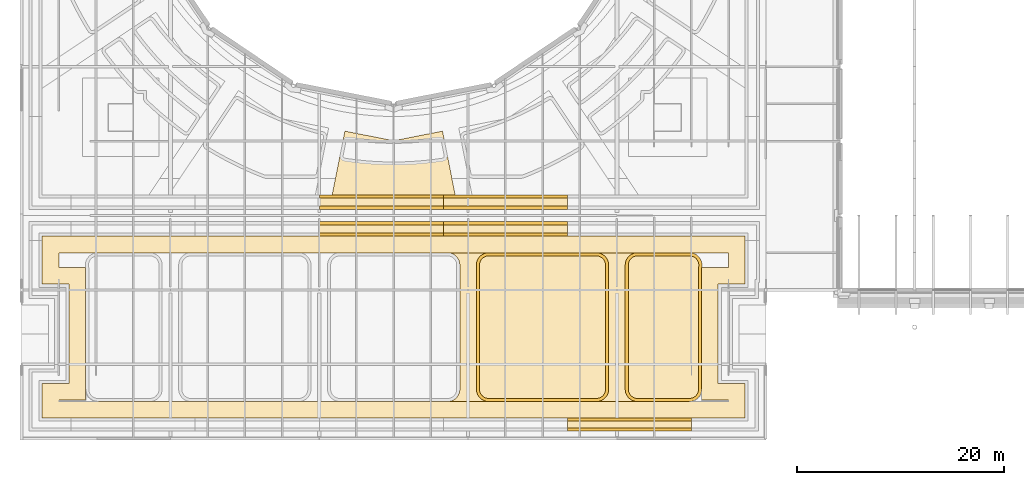
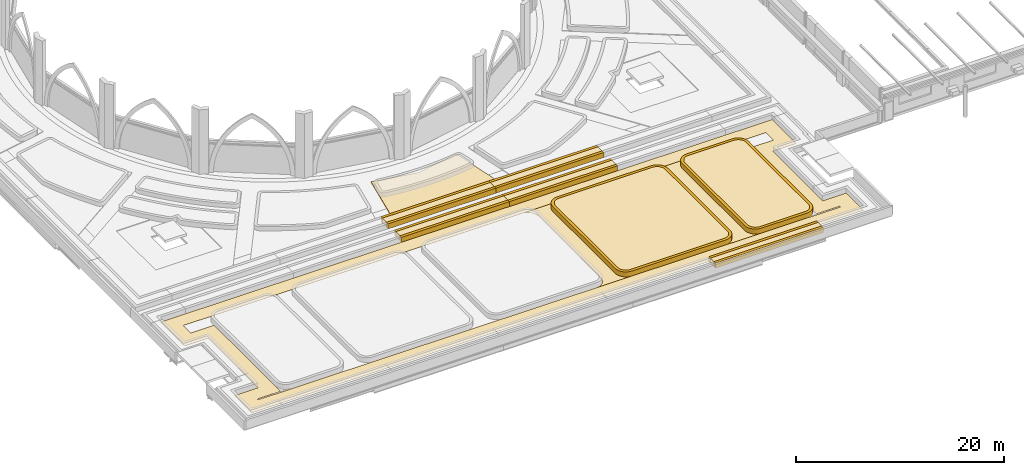
# One storey, part 83 of 110: 23 coverings.
"""IFC4 building model written with IfcOpenShell, lengths in metres."""

from ifc_helpers import new_model, si_unit, direction, frame, origin, place, context, subcontext, project, spatial, polyline, outline, extrude, material, layer, layer_set, type_object, element, save


model = new_model("IFC4")

# Units and contexts
model_context = context("Model", 3, precision=1e-05, world=origin(), true_north=direction((0.0, 1.0)))
body_context = subcontext(model_context, "Body", "Model", "MODEL_VIEW")
ifc_project = project(units=[si_unit("LENGTHUNIT", "METRE"), si_unit("AREAUNIT", "SQUARE_METRE"), si_unit("VOLUMEUNIT", "CUBIC_METRE"), si_unit("PLANEANGLEUNIT", "RADIAN"), si_unit("MASSUNIT", "GRAM", prefix="KILO")], contexts=[model_context])

# Site, building, storey
site_placement = place(None, origin())
site = spatial("IfcSite", under=ifc_project, at=site_placement, CompositionType="ELEMENT")
building_placement = place(site_placement, origin())
building = spatial("IfcBuilding", under=site, at=building_placement, Name="Kupolbacken Congress Centre", CompositionType="ELEMENT")
storey_placement = place(building_placement, frame((0.0, 0.0, 18.0)))
storey = spatial("IfcBuildingStorey", under=building, at=storey_placement, Name="L05", CompositionType="ELEMENT", Elevation=18.0)

# Coverings
ifc_material_1 = material(Name="Limestone cladding", Category="masonry")
ifc_layer_1 = layer(ifc_material_1, 0.60009765625)
ifc_layer_set_1 = layer_set([ifc_layer_1], Name="Limestone cladding")
covering_type_1 = type_object("IfcCoveringType", Name="CV5 limestone arcade pier 600", PredefinedType="CLADDING", material=ifc_layer_set_1)
covering_1_placement = place(storey_placement, origin())
element("IfcCovering", 1, at=covering_1_placement, inside=storey, type_object=covering_type_1, Name="Bed kerb, plenary wing roof", PredefinedType="CLADDING", context=body_context, shape_type="SweptSolid", body=[
    extrude(outline(polyline([(48.0, 52.402587890625), (48.0, 52.1025390625), (36.0, 52.1025390625), (36.0, 52.402587890625), (48.0, 52.402587890625)])), origin(), (0.0, 0.0, 1.0), 0.60009765625),
])
covering_2_placement = place(storey_placement, origin())
element("IfcCovering", 2, at=covering_2_placement, inside=storey, type_object=covering_type_1, Name="Bed kerb, plenary wing roof", PredefinedType="CLADDING", context=body_context, shape_type="SweptSolid", body=[
    extrude(outline(polyline([(36.0, 51.00244140625), (36.0, 51.302490234375), (48.0, 51.302490234375), (48.0, 51.00244140625), (36.0, 51.00244140625)])), origin(), (0.0, 0.0, 1.0), 0.60009765625),
])
covering_3_placement = place(storey_placement, origin())
element("IfcCovering", 3, at=covering_3_placement, inside=storey, type_object=covering_type_1, Name="Bed kerb, plenary wing roof", PredefinedType="CLADDING", context=body_context, shape_type="SweptSolid", body=[
    extrude(outline(polyline([(60.0, 52.402587890625), (60.0, 52.1025390625), (48.0, 52.1025390625), (48.0, 52.402587890625), (60.0, 52.402587890625)])), origin(), (0.0, 0.0, 1.0), 0.60009765625),
])
covering_4_placement = place(storey_placement, origin())
element("IfcCovering", 4, at=covering_4_placement, inside=storey, type_object=covering_type_1, Name="Bed kerb, plenary wing roof", PredefinedType="CLADDING", context=body_context, shape_type="SweptSolid", body=[
    extrude(outline(polyline([(48.0, 51.00244140625), (48.0, 51.302490234375), (60.0, 51.302490234375), (60.0, 51.00244140625), (48.0, 51.00244140625)])), origin(), (0.0, 0.0, 1.0), 0.60009765625),
])
covering_5_placement = place(storey_placement, origin())
element("IfcCovering", 5, at=covering_5_placement, inside=storey, type_object=covering_type_1, Name="Bed kerb, roof garden", PredefinedType="CLADDING", context=body_context, shape_type="SweptSolid", body=[
    extrude(outline(polyline([(48.0, 49.797607421875), (48.0, 49.49755859375), (36.0, 49.49755859375), (36.0, 49.797607421875), (48.0, 49.797607421875)])), origin(), (0.0, 0.0, 1.0), 0.60009765625),
])
covering_6_placement = place(storey_placement, origin())
element("IfcCovering", 6, at=covering_6_placement, inside=storey, type_object=covering_type_1, Name="Bed kerb, roof garden", PredefinedType="CLADDING", context=body_context, shape_type="SweptSolid", body=[
    extrude(outline(polyline([(60.0, 49.797607421875), (60.0, 49.49755859375), (48.0, 49.49755859375), (48.0, 49.797607421875), (60.0, 49.797607421875)])), origin(), (0.0, 0.0, 1.0), 0.60009765625),
])
covering_7_placement = place(storey_placement, origin())
element("IfcCovering", 7, at=covering_7_placement, inside=storey, type_object=covering_type_1, Name="Bed kerb, roof garden", PredefinedType="CLADDING", context=body_context, shape_type="SweptSolid", body=[
    extrude(outline(polyline([(60.0, 29.530029296875), (60.0, 29.830078125), (72.0, 29.830078125), (72.0, 29.530029296875), (60.0, 29.530029296875)])), origin(), (0.0, 0.0, 1.0), 0.60009765625),
])
covering_8_placement = place(storey_placement, origin())
element("IfcCovering", 8, at=covering_8_placement, inside=storey, type_object=covering_type_1, Name="Bed kerb, roof garden", PredefinedType="CLADDING", context=body_context, shape_type="SweptSolid", body=[
    extrude(outline(polyline([(48.0, 48.697509765625), (48.0, 48.3974609375), (36.0, 48.3974609375), (36.0, 48.697509765625), (48.0, 48.697509765625)])), origin(), (0.0, 0.0, 1.0), 0.60009765625),
])
covering_9_placement = place(storey_placement, origin())
element("IfcCovering", 9, at=covering_9_placement, inside=storey, type_object=covering_type_1, Name="Bed kerb, roof garden", PredefinedType="CLADDING", context=body_context, shape_type="SweptSolid", body=[
    extrude(outline(polyline([(60.0, 48.697509765625), (60.0, 48.3974609375), (48.0, 48.3974609375), (48.0, 48.697509765625), (60.0, 48.697509765625)])), origin(), (0.0, 0.0, 1.0), 0.60009765625),
])
covering_10_placement = place(storey_placement, origin())
element("IfcCovering", 10, at=covering_10_placement, inside=storey, type_object=covering_type_1, Name="Bed kerb, roof garden", PredefinedType="CLADDING", context=body_context, shape_type="SweptSolid", body=[
    extrude(outline(polyline([(60.0, 30.50244140625), (60.0, 30.802490234375), (72.0, 30.802490234375), (72.0, 30.50244140625), (60.0, 30.50244140625)])), origin(), (0.0, 0.0, 1.0), 0.60009765625),
])
covering_11_placement = place(storey_placement, origin())
element("IfcCovering", 11, at=covering_11_placement, inside=storey, type_object=covering_type_1, Name="Bed kerb, roof garden", PredefinedType="CLADDING", context=body_context, shape_type="SweptSolid", body=[
    extrude(outline(polyline([(62.916015625, 46.791748046875), (63.03271484375, 46.7744140625), (63.146728515625, 46.745849609375), (63.2578125, 46.706298828125), (63.3642578125, 46.65576171875), (63.465087890625, 46.59521484375), (63.559814453125, 46.525146484375), (63.64697265625, 46.446044921875), (63.72607421875, 46.35888671875), (63.79638671875, 46.26416015625), (63.856689453125, 46.1630859375), (63.9072265625, 46.056640625), (63.94677734375, 45.94580078125), (63.975341796875, 45.83154296875), (63.99267578125, 45.715087890625), (63.99853515625, 45.597412109375), (63.99853515625, 33.6025390625), (63.99267578125, 33.48486328125), (63.975341796875, 33.368408203125), (63.94677734375, 33.254150390625), (63.9072265625, 33.143310546875), (63.856689453125, 33.036865234375), (63.79638671875, 32.935791015625), (63.72607421875, 32.84130859375), (63.64697265625, 32.75390625), (63.559814453125, 32.6748046875), (63.465087890625, 32.604736328125), (63.3642578125, 32.544189453125), (63.2578125, 32.493896484375), (63.146728515625, 32.4541015625), (63.03271484375, 32.425537109375), (62.916015625, 32.408203125), (62.798583984375, 32.402587890625), (52.3994140625, 32.402587890625), (52.281982421875, 32.408203125), (52.165283203125, 32.425537109375), (52.05126953125, 32.4541015625), (51.940185546875, 32.493896484375), (51.833740234375, 32.544189453125), (51.73291015625, 32.604736328125), (51.63818359375, 32.6748046875), (51.551025390625, 32.75390625), (51.471923828125, 32.84130859375), (51.401611328125, 32.935791015625), (51.34130859375, 33.036865234375), (51.290771484375, 33.143310546875), (51.251220703125, 33.254150390625), (51.22265625, 33.368408203125), (51.205322265625, 33.48486328125), (51.199462890625, 33.6025390625), (51.199462890625, 45.597412109375), (51.205322265625, 45.715087890625), (51.22265625, 45.83154296875), (51.251220703125, 45.94580078125), (51.290771484375, 46.056640625), (51.34130859375, 46.1630859375), (51.401611328125, 46.26416015625), (51.471923828125, 46.35888671875), (51.551025390625, 46.446044921875), (51.63818359375, 46.525146484375), (51.73291015625, 46.59521484375), (51.833740234375, 46.65576171875), (51.940185546875, 46.706298828125), (52.05126953125, 46.745849609375), (52.165283203125, 46.7744140625), (52.281982421875, 46.791748046875), (52.3994140625, 46.797607421875), (62.798583984375, 46.797607421875), (62.916015625, 46.791748046875)]), holes=[polyline([(52.406982421875, 46.49755859375), (52.311279296875, 46.492919921875), (52.22412109375, 46.47998046875), (52.13818359375, 46.45849609375), (52.05517578125, 46.4287109375), (51.975341796875, 46.390869140625), (51.899658203125, 46.345458984375), (51.828857421875, 46.29296875), (51.763427734375, 46.233642578125), (51.7041015625, 46.168212890625), (51.651611328125, 46.097412109375), (51.606201171875, 46.021484375), (51.568359375, 45.94189453125), (51.53857421875, 45.858642578125), (51.51708984375, 45.77294921875), (51.504150390625, 45.685791015625), (51.49951171875, 45.590087890625), (51.49951171875, 33.60986328125), (51.504150390625, 33.514404296875), (51.51708984375, 33.427001953125), (51.53857421875, 33.34130859375), (51.568359375, 33.25830078125), (51.606201171875, 33.178466796875), (51.651611328125, 33.102783203125), (51.7041015625, 33.03173828125), (51.763427734375, 32.96630859375), (51.828857421875, 32.906982421875), (51.899658203125, 32.8544921875), (51.975341796875, 32.80908203125), (52.05517578125, 32.771240234375), (52.13818359375, 32.74169921875), (52.22412109375, 32.72021484375), (52.311279296875, 32.707275390625), (52.406982421875, 32.702392578125), (62.791015625, 32.702392578125), (62.88671875, 32.707275390625), (62.97412109375, 32.72021484375), (63.059814453125, 32.74169921875), (63.142822265625, 32.771240234375), (63.22265625, 32.80908203125), (63.29833984375, 32.8544921875), (63.369140625, 32.906982421875), (63.4345703125, 32.96630859375), (63.493896484375, 33.03173828125), (63.54638671875, 33.102783203125), (63.591796875, 33.178466796875), (63.629638671875, 33.25830078125), (63.659423828125, 33.34130859375), (63.680908203125, 33.427001953125), (63.69384765625, 33.514404296875), (63.698486328125, 33.60986328125), (63.698486328125, 45.590087890625), (63.69384765625, 45.685791015625), (63.680908203125, 45.77294921875), (63.659423828125, 45.858642578125), (63.629638671875, 45.94189453125), (63.591796875, 46.021484375), (63.54638671875, 46.097412109375), (63.493896484375, 46.168212890625), (63.4345703125, 46.233642578125), (63.369140625, 46.29296875), (63.29833984375, 46.345458984375), (63.22265625, 46.390869140625), (63.142822265625, 46.4287109375), (63.059814453125, 46.45849609375), (62.97412109375, 46.47998046875), (62.88671875, 46.492919921875), (62.791015625, 46.49755859375), (52.406982421875, 46.49755859375)])]), origin(), (0.0, 0.0, 1.0), 0.60009765625),
])
covering_12_placement = place(storey_placement, origin())
element("IfcCovering", 12, at=covering_12_placement, inside=storey, type_object=covering_type_1, Name="Bed kerb, roof garden", PredefinedType="CLADDING", context=body_context, shape_type="SweptSolid", body=[
    extrude(outline(polyline([(72.99169921875, 33.48486328125), (72.974365234375, 33.368408203125), (72.94580078125, 33.254150390625), (72.90625, 33.143310546875), (72.855712890625, 33.036865234375), (72.79541015625, 32.935791015625), (72.72509765625, 32.84130859375), (72.64599609375, 32.75390625), (72.558837890625, 32.6748046875), (72.464111328125, 32.604736328125), (72.36328125, 32.544189453125), (72.256591796875, 32.493896484375), (72.145751953125, 32.4541015625), (72.031494140625, 32.425537109375), (71.9150390625, 32.408203125), (71.797607421875, 32.402587890625), (66.798583984375, 32.402587890625), (66.680908203125, 32.408203125), (66.564453125, 32.425537109375), (66.4501953125, 32.4541015625), (66.33935546875, 32.493896484375), (66.23291015625, 32.544189453125), (66.1318359375, 32.604736328125), (66.037109375, 32.6748046875), (65.949951171875, 32.75390625), (65.870849609375, 32.84130859375), (65.80078125, 32.935791015625), (65.740234375, 33.036865234375), (65.689697265625, 33.143310546875), (65.650146484375, 33.254150390625), (65.62158203125, 33.368408203125), (65.604248046875, 33.48486328125), (65.598388671875, 33.6025390625), (65.598388671875, 45.597412109375), (65.604248046875, 45.715087890625), (65.62158203125, 45.83154296875), (65.650146484375, 45.94580078125), (65.689697265625, 46.056640625), (65.740234375, 46.1630859375), (65.80078125, 46.26416015625), (65.870849609375, 46.35888671875), (65.949951171875, 46.446044921875), (66.037109375, 46.525146484375), (66.1318359375, 46.59521484375), (66.23291015625, 46.65576171875), (66.33935546875, 46.706298828125), (66.4501953125, 46.745849609375), (66.564453125, 46.7744140625), (66.680908203125, 46.791748046875), (66.798583984375, 46.797607421875), (71.8232421875, 46.797607421875), (71.938232421875, 46.7919921875), (72.052001953125, 46.775390625), (72.163818359375, 46.748291015625), (72.2724609375, 46.710205078125), (72.376953125, 46.662109375), (72.476318359375, 46.604248046875), (72.56982421875, 46.537109375), (72.656494140625, 46.461181640625), (72.7353515625, 46.37744140625), (72.805908203125, 46.28662109375), (72.8671875, 46.189208984375), (72.919189453125, 46.08642578125), (72.9609375, 45.979248046875), (72.9921875, 45.86865234375), (73.012939453125, 45.75537109375), (73.0224609375, 45.640625), (73.02099609375, 45.525634765625), (73.0087890625, 45.411376953125), (72.998779296875, 45.34716796875), (72.99755859375, 45.322998046875), (72.99755859375, 33.6025390625), (72.99169921875, 33.48486328125)]), holes=[polyline([(72.697509765625, 45.330322265625), (72.69970703125, 45.3779296875), (72.711181640625, 45.45068359375), (72.72119140625, 45.543701171875), (72.722412109375, 45.6298828125), (72.715087890625, 45.7158203125), (72.69970703125, 45.80078125), (72.67626953125, 45.8837890625), (72.644775390625, 45.964111328125), (72.60595703125, 46.041015625), (72.559814453125, 46.114013671875), (72.507080078125, 46.18212890625), (72.447998046875, 46.2451171875), (72.383056640625, 46.302001953125), (72.31298828125, 46.352294921875), (72.23828125, 46.395751953125), (72.16015625, 46.431640625), (72.07861328125, 46.460205078125), (71.994873046875, 46.480712890625), (71.909423828125, 46.492919921875), (71.816162109375, 46.49755859375), (66.805908203125, 46.49755859375), (66.710205078125, 46.492919921875), (66.623046875, 46.47998046875), (66.537353515625, 46.45849609375), (66.4541015625, 46.4287109375), (66.37451171875, 46.390869140625), (66.298583984375, 46.345458984375), (66.227783203125, 46.29296875), (66.162353515625, 46.233642578125), (66.10302734375, 46.168212890625), (66.050537109375, 46.097412109375), (66.005126953125, 46.021484375), (65.96728515625, 45.94189453125), (65.9375, 45.858642578125), (65.916015625, 45.77294921875), (65.9033203125, 45.685791015625), (65.8984375, 45.590087890625), (65.8984375, 33.60986328125), (65.9033203125, 33.514404296875), (65.916015625, 33.427001953125), (65.9375, 33.34130859375), (65.96728515625, 33.25830078125), (66.005126953125, 33.178466796875), (66.050537109375, 33.102783203125), (66.10302734375, 33.03173828125), (66.162353515625, 32.96630859375), (66.227783203125, 32.906982421875), (66.298583984375, 32.8544921875), (66.37451171875, 32.80908203125), (66.4541015625, 32.771240234375), (66.537353515625, 32.74169921875), (66.623046875, 32.72021484375), (66.710205078125, 32.707275390625), (66.805908203125, 32.702392578125), (71.7900390625, 32.702392578125), (71.8857421875, 32.707275390625), (71.972900390625, 32.72021484375), (72.05859375, 32.74169921875), (72.141845703125, 32.771240234375), (72.2216796875, 32.80908203125), (72.29736328125, 32.8544921875), (72.3681640625, 32.906982421875), (72.43359375, 32.96630859375), (72.492919921875, 33.03173828125), (72.54541015625, 33.102783203125), (72.5908203125, 33.178466796875), (72.628662109375, 33.25830078125), (72.658447265625, 33.34130859375), (72.679931640625, 33.427001953125), (72.69287109375, 33.514404296875), (72.697509765625, 33.60986328125), (72.697509765625, 45.330322265625)])]), origin(), (0.0, 0.0, 1.0), 0.60009765625),
])
ifc_material_2 = material(Name="Limestone cladding", Category="masonry")
ifc_layer_2 = layer(ifc_material_2, 0.02001953125)
ifc_layer_set_2 = layer_set([ifc_layer_2], Name="Limestone cladding")
covering_type_2 = type_object("IfcCoveringType", Name="GF1 limestone paving 20", PredefinedType="FLOORING", material=ifc_layer_set_2)
covering_13_placement = place(storey_placement, origin())
element("IfcCovering", 13, at=covering_13_placement, inside=storey, type_object=covering_type_2, Name="Roof walk, roof garden", PredefinedType="FLOORING", context=body_context, shape_type="SweptSolid", body=[
    extrude(outline(polyline([(48.51708984375, 46.791748046875), (48.3994140625, 46.797607421875), (52.3994140625, 46.797607421875), (52.281982421875, 46.791748046875), (52.165283203125, 46.7744140625), (52.05126953125, 46.745849609375), (51.940185546875, 46.706298828125), (51.833740234375, 46.65576171875), (51.73291015625, 46.59521484375), (51.63818359375, 46.525146484375), (51.551025390625, 46.446044921875), (51.471923828125, 46.35888671875), (51.401611328125, 46.26416015625), (51.34130859375, 46.1630859375), (51.290771484375, 46.056640625), (51.251220703125, 45.94580078125), (51.22265625, 45.83154296875), (51.205322265625, 45.715087890625), (51.199462890625, 45.597412109375), (51.199462890625, 33.6025390625), (51.205322265625, 33.48486328125), (51.22265625, 33.368408203125), (51.251220703125, 33.254150390625), (51.290771484375, 33.143310546875), (51.34130859375, 33.036865234375), (51.401611328125, 32.935791015625), (51.471923828125, 32.84130859375), (51.551025390625, 32.75390625), (51.63818359375, 32.6748046875), (51.73291015625, 32.604736328125), (51.833740234375, 32.544189453125), (51.940185546875, 32.493896484375), (52.05126953125, 32.4541015625), (52.165283203125, 32.425537109375), (52.281982421875, 32.408203125), (52.3994140625, 32.402587890625), (48.3994140625, 32.402587890625), (48.51708984375, 32.408203125), (48.633544921875, 32.425537109375), (48.747802734375, 32.4541015625), (48.858642578125, 32.493896484375), (48.965087890625, 32.544189453125), (49.066162109375, 32.604736328125), (49.160888671875, 32.6748046875), (49.248046875, 32.75390625), (49.3271484375, 32.84130859375), (49.397216796875, 32.935791015625), (49.457763671875, 33.036865234375), (49.50830078125, 33.143310546875), (49.5478515625, 33.254150390625), (49.576416015625, 33.368408203125), (49.59375, 33.48486328125), (49.599609375, 33.6025390625), (49.599609375, 45.597412109375), (49.59375, 45.715087890625), (49.576416015625, 45.83154296875), (49.5478515625, 45.94580078125), (49.50830078125, 46.056640625), (49.457763671875, 46.1630859375), (49.397216796875, 46.26416015625), (49.3271484375, 46.35888671875), (49.248046875, 46.446044921875), (49.160888671875, 46.525146484375), (49.066162109375, 46.59521484375), (48.965087890625, 46.65576171875), (48.858642578125, 46.706298828125), (48.747802734375, 46.745849609375), (48.633544921875, 46.7744140625), (48.51708984375, 46.791748046875)])), origin(), (0.0, 0.0, 1.0), 0.02001953125),
])
covering_14_placement = place(storey_placement, origin())
element("IfcCovering", 14, at=covering_14_placement, inside=storey, type_object=covering_type_2, Name="Roof walk, roof garden", PredefinedType="FLOORING", context=body_context, shape_type="SweptSolid", body=[
    extrude(outline(polyline([(62.798583984375, 46.797607421875), (66.798583984375, 46.797607421875), (66.680908203125, 46.791748046875), (66.564453125, 46.7744140625), (66.4501953125, 46.745849609375), (66.33935546875, 46.706298828125), (66.23291015625, 46.65576171875), (66.1318359375, 46.59521484375), (66.037109375, 46.525146484375), (65.949951171875, 46.446044921875), (65.870849609375, 46.35888671875), (65.80078125, 46.26416015625), (65.740234375, 46.1630859375), (65.689697265625, 46.056640625), (65.650146484375, 45.94580078125), (65.62158203125, 45.83154296875), (65.604248046875, 45.715087890625), (65.598388671875, 45.597412109375), (65.598388671875, 33.6025390625), (65.604248046875, 33.48486328125), (65.62158203125, 33.368408203125), (65.650146484375, 33.254150390625), (65.689697265625, 33.143310546875), (65.740234375, 33.036865234375), (65.80078125, 32.935791015625), (65.870849609375, 32.84130859375), (65.949951171875, 32.75390625), (66.037109375, 32.6748046875), (66.1318359375, 32.604736328125), (66.23291015625, 32.544189453125), (66.33935546875, 32.493896484375), (66.4501953125, 32.4541015625), (66.564453125, 32.425537109375), (66.680908203125, 32.408203125), (66.798583984375, 32.402587890625), (62.798583984375, 32.402587890625), (62.916015625, 32.408203125), (63.03271484375, 32.425537109375), (63.146728515625, 32.4541015625), (63.2578125, 32.493896484375), (63.3642578125, 32.544189453125), (63.465087890625, 32.604736328125), (63.559814453125, 32.6748046875), (63.64697265625, 32.75390625), (63.72607421875, 32.84130859375), (63.79638671875, 32.935791015625), (63.856689453125, 33.036865234375), (63.9072265625, 33.143310546875), (63.94677734375, 33.254150390625), (63.975341796875, 33.368408203125), (63.99267578125, 33.48486328125), (63.99853515625, 33.6025390625), (63.99853515625, 45.597412109375), (63.99267578125, 45.715087890625), (63.975341796875, 45.83154296875), (63.94677734375, 45.94580078125), (63.9072265625, 46.056640625), (63.856689453125, 46.1630859375), (63.79638671875, 46.26416015625), (63.72607421875, 46.35888671875), (63.64697265625, 46.446044921875), (63.559814453125, 46.525146484375), (63.465087890625, 46.59521484375), (63.3642578125, 46.65576171875), (63.2578125, 46.706298828125), (63.146728515625, 46.745849609375), (63.03271484375, 46.7744140625), (62.916015625, 46.791748046875), (62.798583984375, 46.797607421875)])), origin(), (0.0, 0.0, 1.0), 0.02001953125),
])
ifc_material_3 = material(Name="Brick", Category="masonry")
ifc_layer_3 = layer(ifc_material_3, 0.02001953125)
ifc_layer_set_3 = layer_set([ifc_layer_3], Name="Brick")
covering_type_3 = type_object("IfcCoveringType", Name="GF2 brick paving 20", PredefinedType="FLOORING", material=ifc_layer_set_3)
covering_15_placement = place(storey_placement, origin())
element("IfcCovering", 15, at=covering_15_placement, inside=storey, type_object=covering_type_3, Name="Roof walk border, roof garden", PredefinedType="FLOORING", context=body_context, shape_type="SweptSolid", body=[
    extrude(outline(polyline([(11.802490234375, 34.1474609375), (11.802490234375, 43.75244140625), (9.202392578125, 43.75244140625), (9.202392578125, 48.3974609375), (77.197509765625, 48.3974609375), (77.197509765625, 43.75244140625), (74.597412109375, 43.75244140625), (74.597412109375, 34.1474609375), (77.197509765625, 34.1474609375), (77.197509765625, 30.802490234375), (9.202392578125, 30.802490234375), (9.202392578125, 34.1474609375), (11.802490234375, 34.1474609375)]), holes=[polyline([(75.597412109375, 32.547607421875), (72.99755859375, 32.547607421875), (72.99755859375, 33.6025390625), (72.99755859375, 45.322998046875), (72.998779296875, 45.34716796875), (72.99951171875, 45.3525390625), (75.597412109375, 45.3525390625), (75.597412109375, 46.797607421875), (71.8232421875, 46.797607421875), (66.798583984375, 46.797607421875), (62.798583984375, 46.797607421875), (52.3994140625, 46.797607421875), (48.3994140625, 46.797607421875), (38.00048828125, 46.797607421875), (34.00048828125, 46.797607421875), (23.6015625, 46.797607421875), (19.6015625, 46.797607421875), (14.57666015625, 46.797607421875), (10.802490234375, 46.797607421875), (10.802490234375, 45.3525390625), (13.40087890625, 45.3525390625), (13.401123046875, 45.352294921875), (13.402587890625, 45.322998046875), (13.402587890625, 33.6025390625), (13.402587890625, 32.547607421875), (10.802490234375, 32.547607421875), (10.802490234375, 32.402587890625), (14.6025390625, 32.402587890625), (19.6015625, 32.402587890625), (23.6015625, 32.402587890625), (34.00048828125, 32.402587890625), (38.00048828125, 32.402587890625), (48.3994140625, 32.402587890625), (52.3994140625, 32.402587890625), (62.798583984375, 32.402587890625), (66.798583984375, 32.402587890625), (71.797607421875, 32.402587890625), (75.597412109375, 32.402587890625), (75.597412109375, 32.547607421875)])]), origin(), (0.0, 0.0, 1.0), 0.02001953125),
])
ifc_material_4 = material(Name="Grass", Category="soil")
ifc_layer_4 = layer(ifc_material_4, 0.10009765625)
ifc_layer_set_4 = layer_set([ifc_layer_4], Name="Grass")
covering_type_4 = type_object("IfcCoveringType", Name="GR2 grass surface 100", PredefinedType="FLOORING", material=ifc_layer_set_4)
covering_16_placement = place(storey_placement, origin())
element("IfcCovering", 16, at=covering_16_placement, inside=storey, type_object=covering_type_4, Name="Green roof, plenary wing roof", PredefinedType="FLOORING", context=body_context, shape_type="SweptSolid", body=[
    extrude(outline(polyline([(49.146484375, 52.400390625), (37.25341796875, 52.400390625), (38.47900390625, 58.561767578125), (43.199951171875, 57.63232421875), (47.921142578125, 58.561767578125), (49.146484375, 52.400390625)])), origin(), (0.0, 0.0, 1.0), 0.10009765625),
])
ifc_material_5 = material(Name="Planting substrate", Category="soil")
ifc_layer_5 = layer(ifc_material_5, 0.60009765625)
ifc_layer_set_5 = layer_set([ifc_layer_5], Name="Planting substrate")
covering_type_5 = type_object("IfcCoveringType", Name="GR8 planting substrate 600", PredefinedType="FLOORING", material=ifc_layer_set_5)
covering_17_placement = place(storey_placement, origin())
element("IfcCovering", 17, at=covering_17_placement, inside=storey, type_object=covering_type_5, Name="Planting bed, plenary wing roof", PredefinedType="FLOORING", context=body_context, shape_type="SweptSolid", body=[
    extrude(outline(polyline([(48.0, 52.1025390625), (48.0, 51.302490234375), (36.0, 51.302490234375), (36.0, 52.1025390625), (48.0, 52.1025390625)])), origin(), (0.0, 0.0, 1.0), 0.60009765625),
])
covering_18_placement = place(storey_placement, origin())
element("IfcCovering", 18, at=covering_18_placement, inside=storey, type_object=covering_type_5, Name="Planting bed, plenary wing roof", PredefinedType="FLOORING", context=body_context, shape_type="SweptSolid", body=[
    extrude(outline(polyline([(60.0, 52.1025390625), (60.0, 51.302490234375), (48.0, 51.302490234375), (48.0, 52.1025390625), (60.0, 52.1025390625)])), origin(), (0.0, 0.0, 1.0), 0.60009765625),
])
covering_19_placement = place(storey_placement, origin())
element("IfcCovering", 19, at=covering_19_placement, inside=storey, type_object=covering_type_5, Name="Planting bed, roof garden", PredefinedType="FLOORING", context=body_context, shape_type="SweptSolid", body=[
    extrude(outline(polyline([(48.0, 49.49755859375), (48.0, 48.697509765625), (36.0, 48.697509765625), (36.0, 49.49755859375), (48.0, 49.49755859375)])), origin(), (0.0, 0.0, 1.0), 0.60009765625),
])
covering_20_placement = place(storey_placement, origin())
element("IfcCovering", 20, at=covering_20_placement, inside=storey, type_object=covering_type_5, Name="Planting bed, roof garden", PredefinedType="FLOORING", context=body_context, shape_type="SweptSolid", body=[
    extrude(outline(polyline([(60.0, 49.49755859375), (60.0, 48.697509765625), (48.0, 48.697509765625), (48.0, 49.49755859375), (60.0, 49.49755859375)])), origin(), (0.0, 0.0, 1.0), 0.60009765625),
])
covering_21_placement = place(storey_placement, origin())
element("IfcCovering", 21, at=covering_21_placement, inside=storey, type_object=covering_type_5, Name="Planting bed, roof garden", PredefinedType="FLOORING", context=body_context, shape_type="SweptSolid", body=[
    extrude(outline(polyline([(60.0, 29.830078125), (60.0, 30.50244140625), (72.0, 30.50244140625), (72.0, 29.830078125), (60.0, 29.830078125)])), origin(), (0.0, 0.0, 1.0), 0.60009765625),
])
covering_22_placement = place(storey_placement, origin())
element("IfcCovering", 22, at=covering_22_placement, inside=storey, type_object=covering_type_5, Name="Planting bed, roof garden", PredefinedType="FLOORING", context=body_context, shape_type="SweptSolid", body=[
    extrude(outline(polyline([(62.791015625, 46.49755859375), (62.88671875, 46.492919921875), (62.97412109375, 46.47998046875), (63.059814453125, 46.45849609375), (63.142822265625, 46.4287109375), (63.22265625, 46.390869140625), (63.29833984375, 46.345458984375), (63.369140625, 46.29296875), (63.4345703125, 46.233642578125), (63.493896484375, 46.168212890625), (63.54638671875, 46.097412109375), (63.591796875, 46.021484375), (63.629638671875, 45.94189453125), (63.659423828125, 45.858642578125), (63.680908203125, 45.77294921875), (63.69384765625, 45.685791015625), (63.698486328125, 45.590087890625), (63.698486328125, 33.60986328125), (63.69384765625, 33.514404296875), (63.680908203125, 33.427001953125), (63.659423828125, 33.34130859375), (63.629638671875, 33.25830078125), (63.591796875, 33.178466796875), (63.54638671875, 33.102783203125), (63.493896484375, 33.03173828125), (63.4345703125, 32.96630859375), (63.369140625, 32.906982421875), (63.29833984375, 32.8544921875), (63.22265625, 32.80908203125), (63.142822265625, 32.771240234375), (63.059814453125, 32.74169921875), (62.97412109375, 32.72021484375), (62.88671875, 32.707275390625), (62.791015625, 32.702392578125), (52.406982421875, 32.702392578125), (52.311279296875, 32.707275390625), (52.22412109375, 32.72021484375), (52.13818359375, 32.74169921875), (52.05517578125, 32.771240234375), (51.975341796875, 32.80908203125), (51.899658203125, 32.8544921875), (51.828857421875, 32.906982421875), (51.763427734375, 32.96630859375), (51.7041015625, 33.03173828125), (51.651611328125, 33.102783203125), (51.606201171875, 33.178466796875), (51.568359375, 33.25830078125), (51.53857421875, 33.34130859375), (51.51708984375, 33.427001953125), (51.504150390625, 33.514404296875), (51.49951171875, 33.60986328125), (51.49951171875, 45.590087890625), (51.504150390625, 45.685791015625), (51.51708984375, 45.77294921875), (51.53857421875, 45.858642578125), (51.568359375, 45.94189453125), (51.606201171875, 46.021484375), (51.651611328125, 46.097412109375), (51.7041015625, 46.168212890625), (51.763427734375, 46.233642578125), (51.828857421875, 46.29296875), (51.899658203125, 46.345458984375), (51.975341796875, 46.390869140625), (52.05517578125, 46.4287109375), (52.13818359375, 46.45849609375), (52.22412109375, 46.47998046875), (52.311279296875, 46.492919921875), (52.406982421875, 46.49755859375), (62.791015625, 46.49755859375)])), origin(), (0.0, 0.0, 1.0), 0.60009765625),
])
covering_23_placement = place(storey_placement, origin())
element("IfcCovering", 23, at=covering_23_placement, inside=storey, type_object=covering_type_5, Name="Planting bed, roof garden", PredefinedType="FLOORING", context=body_context, shape_type="SweptSolid", body=[
    extrude(outline(polyline([(72.697509765625, 33.60986328125), (72.69287109375, 33.514404296875), (72.679931640625, 33.427001953125), (72.658447265625, 33.34130859375), (72.628662109375, 33.25830078125), (72.5908203125, 33.178466796875), (72.54541015625, 33.102783203125), (72.492919921875, 33.03173828125), (72.43359375, 32.96630859375), (72.3681640625, 32.906982421875), (72.29736328125, 32.8544921875), (72.2216796875, 32.80908203125), (72.141845703125, 32.771240234375), (72.05859375, 32.74169921875), (71.972900390625, 32.72021484375), (71.8857421875, 32.707275390625), (71.7900390625, 32.702392578125), (66.805908203125, 32.702392578125), (66.710205078125, 32.707275390625), (66.623046875, 32.72021484375), (66.537353515625, 32.74169921875), (66.4541015625, 32.771240234375), (66.37451171875, 32.80908203125), (66.298583984375, 32.8544921875), (66.227783203125, 32.906982421875), (66.162353515625, 32.96630859375), (66.10302734375, 33.03173828125), (66.050537109375, 33.102783203125), (66.005126953125, 33.178466796875), (65.96728515625, 33.25830078125), (65.9375, 33.34130859375), (65.916015625, 33.427001953125), (65.9033203125, 33.514404296875), (65.8984375, 33.60986328125), (65.8984375, 45.590087890625), (65.9033203125, 45.685791015625), (65.916015625, 45.77294921875), (65.9375, 45.858642578125), (65.96728515625, 45.94189453125), (66.005126953125, 46.021484375), (66.050537109375, 46.097412109375), (66.10302734375, 46.168212890625), (66.162353515625, 46.233642578125), (66.227783203125, 46.29296875), (66.298583984375, 46.345458984375), (66.37451171875, 46.390869140625), (66.4541015625, 46.4287109375), (66.537353515625, 46.45849609375), (66.623046875, 46.47998046875), (66.710205078125, 46.492919921875), (66.805908203125, 46.49755859375), (71.816162109375, 46.49755859375), (71.909423828125, 46.492919921875), (71.994873046875, 46.480712890625), (72.07861328125, 46.460205078125), (72.16015625, 46.431640625), (72.23828125, 46.395751953125), (72.31298828125, 46.352294921875), (72.383056640625, 46.302001953125), (72.447998046875, 46.2451171875), (72.507080078125, 46.18212890625), (72.559814453125, 46.114013671875), (72.60595703125, 46.041015625), (72.644775390625, 45.964111328125), (72.67626953125, 45.8837890625), (72.69970703125, 45.80078125), (72.715087890625, 45.7158203125), (72.722412109375, 45.6298828125), (72.72119140625, 45.543701171875), (72.711181640625, 45.45068359375), (72.69970703125, 45.3779296875), (72.697509765625, 45.330322265625), (72.697509765625, 33.60986328125)])), origin(), (0.0, 0.0, 1.0), 0.60009765625),
])

save(model, "model.ifc")
